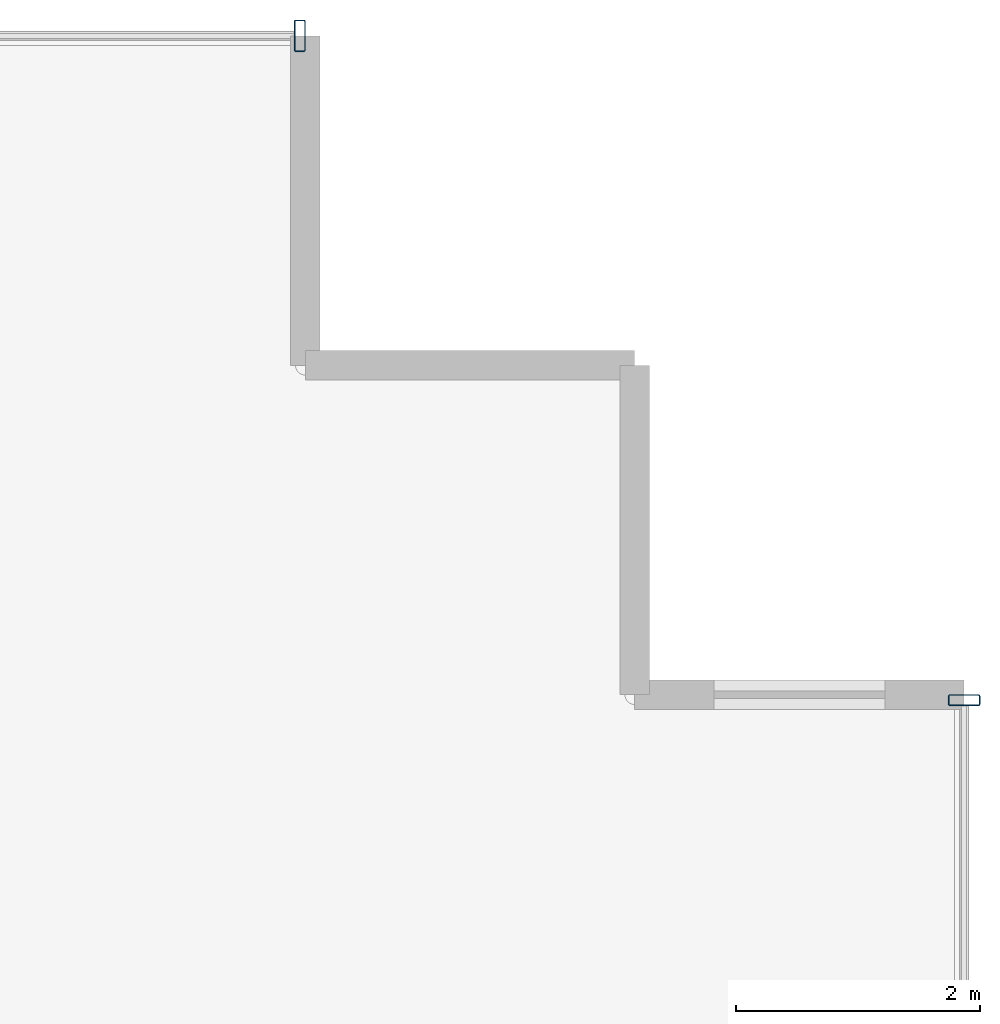
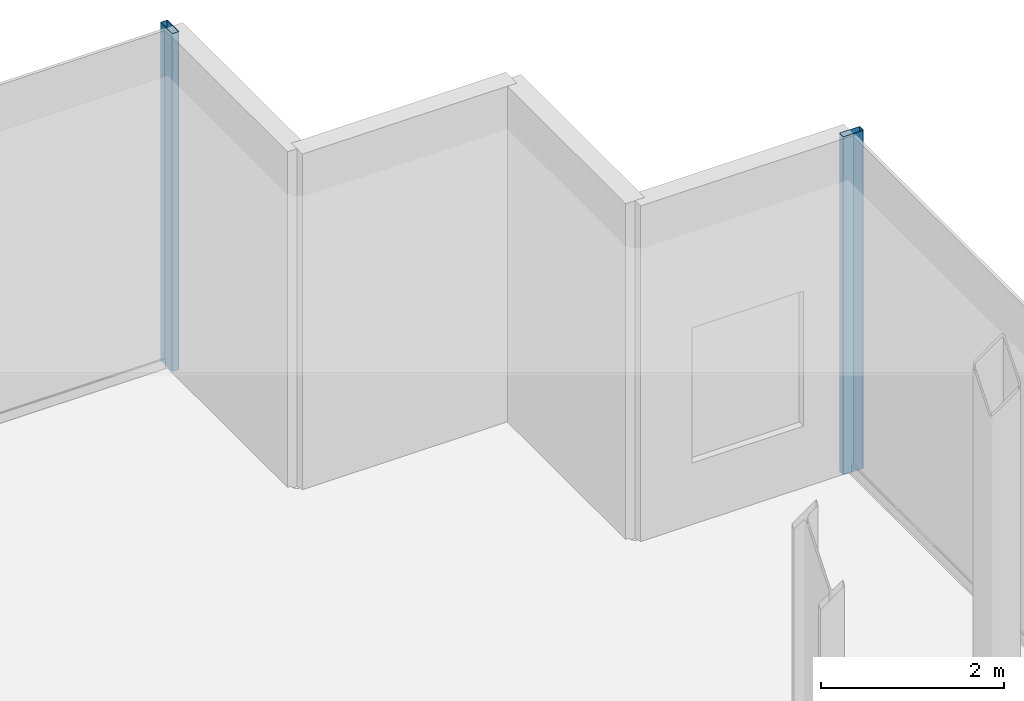
# One storey, part 11 of 17: 2 members, 2 elements without a shape of their own.
"""IFC4 building model written with IfcOpenShell, lengths in metres."""

from ifc_helpers import new_model, si_unit, direction, frame, origin, origin_2d, place, context, subcontext, project, spatial, hollow_rectangle, extrude, source, transform, mapped, material, layer, layer_set, material_profile, profile_set, type_object, element, aggregate, save


model = new_model("IFC4")

# Units and contexts
model_context = context("Model", 3, precision=1e-05, world=origin(), true_north=direction((0.0, 1.0)))
body_context = subcontext(model_context, "Body", "Model", "MODEL_VIEW")
ifc_project = project(units=[si_unit("LENGTHUNIT", "METRE"), si_unit("AREAUNIT", "SQUARE_METRE"), si_unit("VOLUMEUNIT", "CUBIC_METRE"), si_unit("PLANEANGLEUNIT", "RADIAN"), si_unit("MASSUNIT", "GRAM", prefix="KILO")], contexts=[model_context])

# Site, building, storey
site_placement = place(None, origin())
site = spatial("IfcSite", under=ifc_project, at=site_placement, CompositionType="ELEMENT")
building_placement = place(site_placement, origin())
building = spatial("IfcBuilding", under=site, at=building_placement, Name="Nefas-Gora Pilgrimage Tower", CompositionType="ELEMENT")
storey_placement = place(building_placement, frame((0.0, 0.0, 353.800048828125)))
storey = spatial("IfcBuildingStorey", under=building, at=storey_placement, Name="L89", CompositionType="ELEMENT", Elevation=353.800048828125)

# Curtain wall, member
ifc_material_1 = material(Name="Dark ceramic-fritted solar-control aluminium-glass curtain wall", Category="aluminium")
ifc_layer = layer(ifc_material_1, 0.219970703125)
ifc_layer_set = layer_set([ifc_layer], Name="Dark ceramic-fritted solar-control aluminium-glass curtain wall")
curtain_wall_type = type_object("IfcCurtainWallType", Name="CW-SYS-6", PredefinedType="NOTDEFINED", material=ifc_layer_set)
curtain_wall_1_placement = place(storey_placement, origin())
curtain_wall_1 = element("IfcCurtainWall", 1, at=curtain_wall_1_placement, inside=storey, type_object=curtain_wall_type, Name="L89 Unitised Curtain Wall CW6", PredefinedType="NOTDEFINED")
ifc_material_2 = material(Name="Anodised architectural aluminium", Category="aluminium")
ifc_material_profile = material_profile(ifc_material_2, hollow_rectangle(XDim=0.090087890625, YDim=0.260009765625, WallThickness=0.006103515625, InnerFilletRadius=0.006103515625, OuterFilletRadius=0.011962890625, at=origin_2d()), Name="ALU MULLION 90x260")
ifc_profile_set = profile_set([ifc_material_profile], Name="Anodised architectural aluminium")
member_type = type_object("IfcMemberType", Name="CWM-MUL-6", PredefinedType="MULLION", material=ifc_profile_set)
shared_shape = source(origin(), body_context, "Body", "SweptSolid", [
    extrude(hollow_rectangle(XDim=0.090087890625, YDim=0.260009765625, WallThickness=0.006103515625, InnerFilletRadius=0.006103515625, OuterFilletRadius=0.011962890625, at=origin_2d()), origin(), (0.0, 0.0, 1.0), 4.5),
])
member_1_placement = place(storey_placement, frame((13.074951171875, 23.02001953125, 0.0), z_axis=(0.0, 0.0, 1.0), x_axis=(-1.0, 0.0, 0.0)))
member_1 = element("IfcMember", 2, at=member_1_placement, type_object=member_type, Name="CW6 Mullion 1", PredefinedType="MULLION", context=body_context, shape_type="MappedRepresentation", body=[
    mapped(shared_shape, transform((0.0, 0.0, 0.0), x_axis=(1.0, 0.0, 0.0), y_axis=(0.0, 1.0, 0.0), z_axis=(0.0, 0.0, 1.0), scale=1.0)),
])
aggregate(curtain_wall_1, [member_1])

curtain_wall_2_placement = place(storey_placement, origin())
curtain_wall_2 = element("IfcCurtainWall", 3, at=curtain_wall_2_placement, inside=storey, type_object=curtain_wall_type, Name="L89 Unitised Curtain Wall CW6", PredefinedType="NOTDEFINED")
member_2_placement = place(storey_placement, frame((18.52001953125, 17.574951171875, 0.0), z_axis=(0.0, 0.0, 1.0), x_axis=(0.0, 1.0, 0.0)))
member_2 = element("IfcMember", 4, at=member_2_placement, type_object=member_type, Name="CW6 Mullion 3", PredefinedType="MULLION", context=body_context, shape_type="MappedRepresentation", body=[
    mapped(shared_shape, transform((0.0, 0.0, 0.0), x_axis=(1.0, 0.0, 0.0), y_axis=(0.0, 1.0, 0.0), z_axis=(0.0, 0.0, 1.0), scale=1.0)),
])
aggregate(curtain_wall_2, [member_2])

save(model, "model.ifc")
